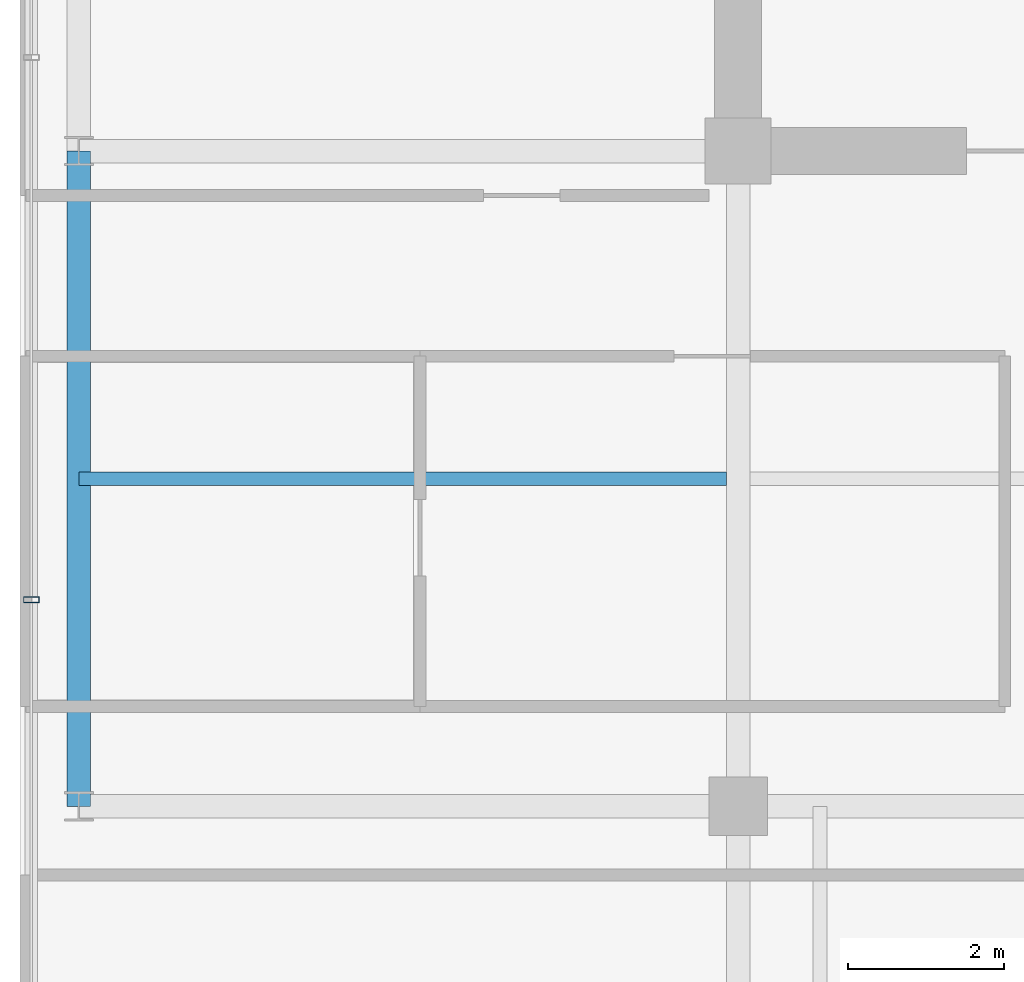
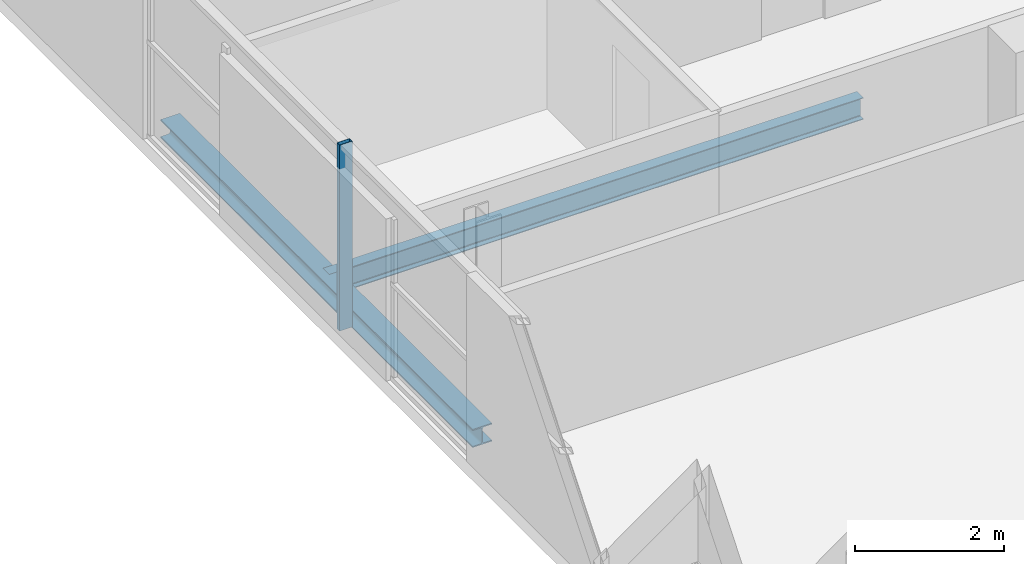
# One storey, part 4 of 23: 2 beams, 1 member, 1 element without a shape of its own.
"""IFC4 building model written with IfcOpenShell, lengths in metres."""

from ifc_helpers import new_model, si_unit, direction, frame, origin, origin_2d, place, context, subcontext, project, spatial, hollow_rectangle, i_section, extrude, source, transform, mapped, material, layer, layer_set, material_profile, profile_set, type_object, element, aggregate, save


model = new_model("IFC4")

# Units and contexts
model_context = context("Model", 3, precision=1e-05, world=origin(), true_north=direction((0.0, 1.0)))
body_context = subcontext(model_context, "Body", "Model", "MODEL_VIEW")
ifc_project = project(units=[si_unit("LENGTHUNIT", "METRE"), si_unit("AREAUNIT", "SQUARE_METRE"), si_unit("VOLUMEUNIT", "CUBIC_METRE"), si_unit("PLANEANGLEUNIT", "RADIAN"), si_unit("MASSUNIT", "GRAM", prefix="KILO")], contexts=[model_context])

# Site, building, storey
site_placement = place(None, origin())
site = spatial("IfcSite", under=ifc_project, at=site_placement, CompositionType="ELEMENT")
building_placement = place(site_placement, origin())
building = spatial("IfcBuilding", under=site, at=building_placement, Name="Zarnakvel Exchange Tower", CompositionType="ELEMENT")
storey_placement = place(building_placement, frame((0.0, 0.0, 212.199951171875)))
storey = spatial("IfcBuildingStorey", under=building, at=storey_placement, Name="L59", CompositionType="ELEMENT", Elevation=212.199951171875)

# Beams
ifc_material_1 = material(Name="Steel S355", Category="steel")
ifc_material_profile_1 = material_profile(ifc_material_1, i_section(OverallWidth=0.169921875, OverallDepth=0.360107421875, WebThickness=0.008056640625, FlangeThickness=0.0126953125, FilletRadius=0.01806640625, at=origin_2d()))
ifc_profile_set_1 = profile_set([ifc_material_profile_1], Name="Steel S355")
beam_type_1 = type_object("IfcBeamType", Name="B-07", PredefinedType="JOIST", material=ifc_profile_set_1)
beam_1_placement = place(storey_placement, frame((-22.85009765625, -5.39990234375, -0.405029296875), z_axis=(1.0, 0.0, 0.0), x_axis=(0.0, 1.0, 0.0)))
element("IfcBeam", 1, at=beam_1_placement, inside=storey, type_object=beam_type_1, Name="L59 Composite Floor Secondary Joist", PredefinedType="JOIST", context=body_context, shape_type="SweptSolid", body=[
    extrude(i_section(OverallWidth=0.169921875, OverallDepth=0.360107421875, WebThickness=0.008056640625, FlangeThickness=0.0126953125, FilletRadius=0.01806640625, at=origin_2d()), origin(), (0.0, 0.0, 1.0), 8.300048828125),
])
ifc_material_profile_2 = material_profile(ifc_material_1, i_section(OverallWidth=0.300048828125, OverallDepth=0.300048828125, WebThickness=0.010986328125, FlangeThickness=0.01904296875, FilletRadius=0.027099609375, at=origin_2d()))
ifc_profile_set_2 = profile_set([ifc_material_profile_2], Name="Steel S355")
beam_type_2 = type_object("IfcBeamType", Name="SP-03", PredefinedType="SPANDREL", material=ifc_profile_set_2)
beam_2_placement = place(storey_placement, frame((-22.85009765625, -9.60009765625, -0.375), z_axis=(0.0, 1.0, 0.0), x_axis=(-1.0, 0.0, 0.0)))
element("IfcBeam", 2, at=beam_2_placement, inside=storey, type_object=beam_type_2, Name="L59 Tower N-S Frame Beam", PredefinedType="SPANDREL", context=body_context, shape_type="SweptSolid", body=[
    extrude(i_section(OverallWidth=0.300048828125, OverallDepth=0.300048828125, WebThickness=0.010986328125, FlangeThickness=0.01904296875, FilletRadius=0.027099609375, at=origin_2d()), origin(), (0.0, 0.0, 1.0), 8.400146484375),
])

# Curtain wall, member
ifc_material_2 = material(Name="Architectural Bronze Anodised Aluminium", Category="aluminium")
ifc_layer = layer(ifc_material_2, 0.199951171875)
ifc_layer_set = layer_set([ifc_layer], Name="Architectural Bronze Anodised Aluminium")
curtain_wall_type = type_object("IfcCurtainWallType", Name="CW-04", PredefinedType="NOTDEFINED", material=ifc_layer_set)
curtain_wall_placement = place(storey_placement, origin())
curtain_wall = element("IfcCurtainWall", 3, at=curtain_wall_placement, inside=storey, type_object=curtain_wall_type, Name="L59 Curtain Wall CW-L59-W1 (CW-04)", PredefinedType="NOTDEFINED")
ifc_material_profile_3 = material_profile(ifc_material_2, hollow_rectangle(XDim=0.199951171875, YDim=0.074951171875, WallThickness=0.0048828125, at=origin_2d()))
ifc_profile_set_3 = profile_set([ifc_material_profile_3], Name="Architectural Bronze Anodised Aluminium")
member_type = type_object("IfcMemberType", Name="CWM-04", PredefinedType="MULLION", material=ifc_profile_set_3)
shared_shape = source(origin(), body_context, "Body", "SweptSolid", [
    extrude(hollow_rectangle(XDim=0.199951171875, YDim=0.074951171875, WallThickness=0.0048828125, at=origin_2d()), origin(), (0.0, 0.0, 1.0), 3.054931640625),
])
member_placement = place(storey_placement, frame((-23.4599609375, -6.949951171875, 0.0), z_axis=(0.0, 0.0, 1.0), x_axis=(-1.0, 0.0, 0.0)))
member = element("IfcMember", 4, at=member_placement, type_object=member_type, Name="CW-04 mullion 2", PredefinedType="MULLION", context=body_context, shape_type="MappedRepresentation", body=[
    mapped(shared_shape, transform((0.0, 0.0, 0.0), x_axis=(1.0, 0.0, 0.0), y_axis=(0.0, 1.0, 0.0), z_axis=(0.0, 0.0, 1.0), scale=1.0)),
])
aggregate(curtain_wall, [member])

save(model, "model.ifc")
